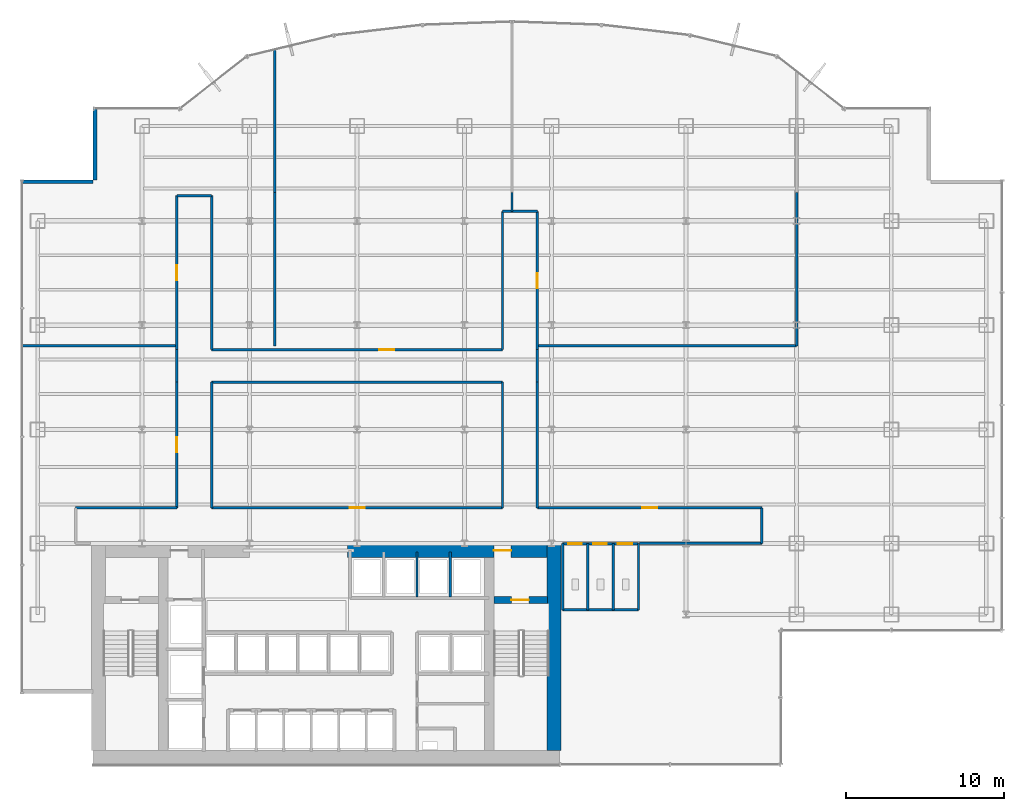
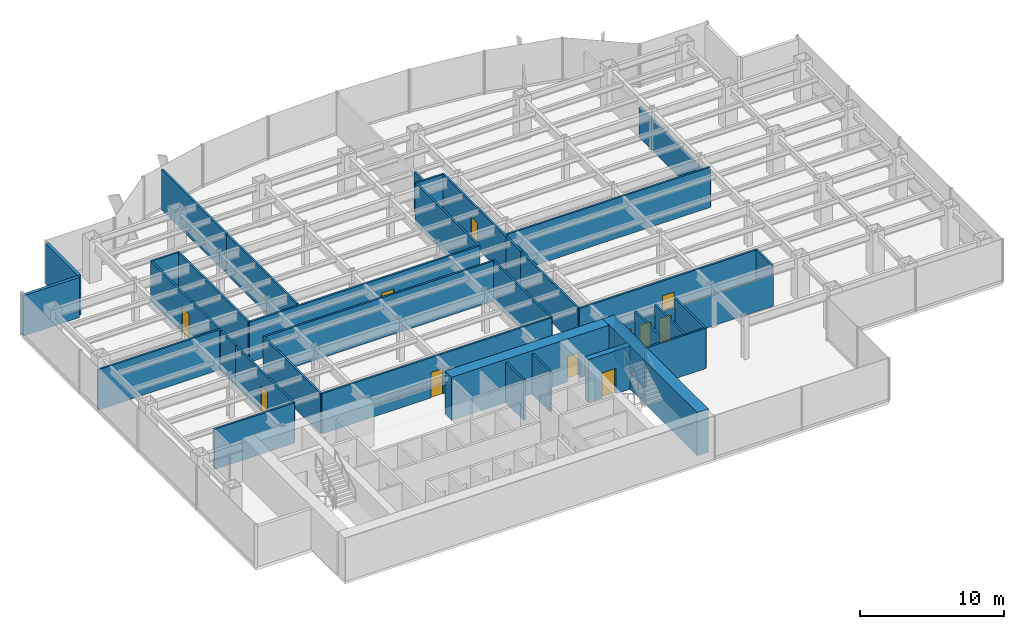
# One storey, part 18 of 22: 38 walls, 11 doors, 11 openings.
"""IFC4 building model written with IfcOpenShell, lengths in metres."""

from ifc_helpers import new_model, si_unit, derived_unit, direction, frame, frame_2d, origin, place, context, subcontext, project, spatial, rectangle, extrude, source, transform, mapped, material, layer, layer_set, type_object, element, fill, save


model = new_model("IFC4")

# Units and contexts
model_context = context("Model", 3, precision=1e-05, world=origin(), true_north=direction((0.0, 1.0)))
body_context = subcontext(model_context, "Body", "Model", "MODEL_VIEW")
ifc_project = project(units=[si_unit("LENGTHUNIT", "METRE"), si_unit("AREAUNIT", "SQUARE_METRE"), si_unit("VOLUMEUNIT", "CUBIC_METRE"), si_unit("PLANEANGLEUNIT", "RADIAN"), si_unit("MASSUNIT", "GRAM", prefix="KILO"), derived_unit("THERMALTRANSMITTANCEUNIT", [(si_unit("POWERUNIT", "WATT"), 1), (si_unit("LENGTHUNIT", "METRE"), -2), (si_unit("THERMODYNAMICTEMPERATUREUNIT", "KELVIN"), -1)])], contexts=[model_context])

# Site, building, storey
site_placement = place(None, origin())
site = spatial("IfcSite", under=ifc_project, at=site_placement, CompositionType="ELEMENT")
building_placement = place(site_placement, origin())
building = spatial("IfcBuilding", under=site, at=building_placement, Name="Skarnbrae Concourse Arena and Tower", CompositionType="ELEMENT")
storey_placement = place(building_placement, frame((0.0, 0.0, 61.699951171875)))
storey = spatial("IfcBuildingStorey", under=building, at=storey_placement, Name="L14", CompositionType="ELEMENT", Elevation=61.699951171875)

# Wall
ifc_material_1 = material(Name="Concrete 70 MPa (C70/85)", Category="concrete")
ifc_layer_1 = layer(ifc_material_1, 0.89990234375)
ifc_layer_set_1 = layer_set([ifc_layer_1], Name="Concrete 70 MPa (C70/85)")
wall_type_1 = type_object("IfcWallType", Name="WALL-CORE-900-C70", PredefinedType="SHEAR", material=ifc_layer_set_1)
shared_shape_1 = source(origin(), body_context, "Body", "SweptSolid", [
    extrude(rectangle(XDim=13.10009765625, YDim=0.89990234375, at=frame_2d((6.550048828125, 0.0))), origin(), (0.0, 0.0, 1.0), 3.650146484375),
])
wall_1_placement = place(storey_placement, frame((33.64990234375, 0.89990234375, 0.0), z_axis=(0.0, 0.0, 1.0), x_axis=(0.0, 1.0, 0.0)))
element("IfcWall", 1, at=wall_1_placement, inside=storey, type_object=wall_type_1, Name="L14 Rear core shear wall CW-E", PredefinedType="SHEAR", context=body_context, shape_type="MappedRepresentation", body=[
    mapped(shared_shape_1, transform((0.0, 0.0, 0.0))),
])

# Wall, opening, door
shared_shape_2 = source(origin(), body_context, "Body", "SweptSolid", [
    extrude(rectangle(XDim=12.599853515625, YDim=0.89990234375, at=frame_2d((6.2998046875, 0.0))), origin(), (0.0, 0.0, 1.0), 3.650146484375),
])
wall_2_placement = place(storey_placement, frame((20.60009765625, 13.550048828125, 0.0), z_axis=(0.0, 0.0, 1.0), x_axis=(1.0, 0.0, 0.0)))
wall_2 = element("IfcWall", 2, at=wall_2_placement, inside=storey, type_object=wall_type_1, Name="L14 Rear core shear wall CW-NE", PredefinedType="SHEAR", context=body_context, shape_type="MappedRepresentation", body=[
    mapped(shared_shape_2, transform((0.0, 0.0, 0.0))),
])
opening_1_placement = place(wall_2_placement, frame((9.25, 0.0, 0.0)))
opening_1 = element("IfcOpeningElement", 3, at=opening_1_placement, cuts=wall_2, Name="Opening DT-03", PredefinedType="OPENING", context=body_context, shape_type="SweptSolid", body=[
    extrude(rectangle(XDim=1.10009765625, YDim=2.14990234375, at=frame_2d((0.550048828125, 1.074951171875))), frame((0.0, 0.4599609375, 0.0), z_axis=(0.0, -1.0, 0.0), x_axis=(1.0, 0.0, 0.0)), (0.0, 0.0, 1.0), 0.919921875),
])
ifc_material_2 = material(Name="Steel CSA G40.21 350W", Category="steel")
door_type_1 = type_object("IfcDoorType", Name="DOOR-FIRE-1100-90M", OperationType="NOTDEFINED", PredefinedType="DOOR", material=ifc_material_2)
shared_shape_3 = source(origin(), body_context, "Body", "SweptSolid", [
    extrude(rectangle(XDim=1.10009765625, YDim=2.14990234375, at=frame_2d((0.550048828125, 1.074951171875))), frame((0.0, 0.02490234375, 0.0), z_axis=(0.0, -1.0, 0.0), x_axis=(1.0, 0.0, 0.0)), (0.0, 0.0, 1.0), 0.050048828125),
])
door_1_placement = place(opening_1_placement, origin())
door_1 = element("IfcDoor", 4, at=door_1_placement, inside=storey, type_object=door_type_1, Name="D-0553 Stair ST-2 Vestibule Door", OperationType="SINGLE_SWING_LEFT", OverallHeight=2.14990234375, OverallWidth=1.10009765625, PredefinedType="DOOR", context=body_context, shape_type="MappedRepresentation", body=[
    mapped(shared_shape_3, transform((0.0, 0.0, 0.0))),
])
fill(opening_1, door_1)

ifc_material_3 = material(Name="Concrete 50 MPa (C50/60)", Category="concrete")
ifc_layer_2 = layer(ifc_material_3, 0.449951171875)
ifc_layer_set_2 = layer_set([ifc_layer_2], Name="Concrete 50 MPa (C50/60)")
wall_type_2 = type_object("IfcWallType", Name="WALL-CORE-450-C50", PredefinedType="SHEAR", material=ifc_layer_set_2)
shared_shape_4 = source(origin(), body_context, "Body", "SweptSolid", [
    extrude(rectangle(XDim=3.389892578125, YDim=0.449951171875, at=frame_2d((1.69482421875, 0.0))), origin(), (0.0, 0.0, 1.0), 3.650146484375),
])
wall_3_placement = place(storey_placement, frame((29.860107421875, 10.419921875, 0.0), z_axis=(0.0, 0.0, 1.0), x_axis=(1.0, 0.0, 0.0)))
wall_3 = element("IfcWall", 5, at=wall_3_placement, inside=storey, type_object=wall_type_2, Name="L14 Rear core shear wall CW-ST2-N", PredefinedType="SHEAR", context=body_context, shape_type="MappedRepresentation", body=[
    mapped(shared_shape_4, transform((0.0, 0.0, 0.0))),
])
opening_2_placement = place(wall_3_placement, frame((1.10009765625, 0.0, 0.0)))
opening_2 = element("IfcOpeningElement", 6, at=opening_2_placement, cuts=wall_3, Name="Opening DT-03", PredefinedType="OPENING", context=body_context, shape_type="SweptSolid", body=[
    extrude(rectangle(XDim=1.10009765625, YDim=2.14990234375, at=frame_2d((0.550048828125, 1.074951171875))), frame((0.0, 0.23486328125, 0.0), z_axis=(0.0, -1.0, 0.0), x_axis=(1.0, 0.0, 0.0)), (0.0, 0.0, 1.0), 0.469970703125),
])
door_2_placement = place(opening_2_placement, frame((1.10009765625, 0.0, 0.0), z_axis=(0.0, 0.0, 1.0), x_axis=(-1.0, 0.0, 0.0)))
door_2 = element("IfcDoor", 7, at=door_2_placement, inside=storey, type_object=door_type_1, Name="D-0551 Stair ST-2 Door", OperationType="SINGLE_SWING_RIGHT", OverallHeight=2.14990234375, OverallWidth=1.10009765625, PredefinedType="DOOR", context=body_context, shape_type="MappedRepresentation", body=[
    mapped(shared_shape_3, transform((0.0, 0.0, 0.0))),
])
fill(opening_2, door_2)

# Walls
ifc_material_4 = material(Name="Precast concrete 40 MPa (C40/50)", Category="concrete")
ifc_layer_3 = layer(ifc_material_4, 0.25)
ifc_layer_set_3 = layer_set([ifc_layer_3], Name="Precast concrete 40 MPa (C40/50)")
wall_type_3 = type_object("IfcWallType", Name="WALL-EXT-SPANDREL-250", PredefinedType="STANDARD", material=ifc_layer_set_3)
shared_shape_5 = source(origin(), body_context, "Body", "SweptSolid", [
    extrude(rectangle(XDim=4.5, YDim=0.25, at=frame_2d((2.25, 0.0))), origin(), (0.0, 0.0, 1.0), 3.400146484375),
])
for number, where, z_axis, x_axis, name in (
    (8, (4.625, 41.5, 0.0), (0.0, 0.0, 1.0), (0.0, -1.0, 0.0), "L14 Notched corner insulated return wall 17"),
    (9, (4.5, 36.875, 0.0), (0.0, 0.0, 1.0), (-1.0, 0.0, 0.0), "L14 Notched corner insulated return wall 18"),
):
    element("IfcWall", number, at=place(storey_placement, frame(where, z_axis=z_axis, x_axis=x_axis)), inside=storey, type_object=wall_type_3, Name=name, PredefinedType="STANDARD", context=body_context, shape_type="MappedRepresentation", body=[
        mapped(shared_shape_5, transform((0.0, 0.0, 0.0))),
    ])

# Wall, openings, doors
ifc_material_5 = material(Name="Gypsum board on cold-formed steel studs", Category="steel")
ifc_layer_4 = layer(ifc_material_5, 0.14990234375)
ifc_layer_set_4 = layer_set([ifc_layer_4], Name="Gypsum board on cold-formed steel studs")
wall_type_4 = type_object("IfcWallType", Name="WALL-PART-150", PredefinedType="PARTITIONING", material=ifc_layer_set_4)
shared_shape_6 = source(origin(), body_context, "Body", "SweptSolid", [
    extrude(rectangle(XDim=4.800048828125, YDim=0.14990234375, at=frame_2d((2.39990234375, 0.0))), origin(), (0.0, 0.0, 1.0), 2.625),
])
wall_4_placement = place(storey_placement, frame((34.199951171875, 13.97998046875, 0.0), z_axis=(0.0, 0.0, 1.0), x_axis=(1.0, 0.0, 0.0)))
wall_4 = element("IfcWall", 10, at=wall_4_placement, inside=storey, type_object=wall_type_4, Name="L14 Interior partition wall W-L14-WC-N", PredefinedType="PARTITIONING", context=body_context, shape_type="MappedRepresentation", body=[
    mapped(shared_shape_6, transform((0.0, 0.0, 0.0))),
])
opening_3_placement = place(wall_4_placement, frame((0.35009765625, 0.0, 0.0)))
opening_3 = element("IfcOpeningElement", 11, at=opening_3_placement, cuts=wall_4, Name="Opening DT-06", PredefinedType="OPENING", context=body_context, shape_type="SweptSolid", body=[
    extrude(rectangle(XDim=0.85009765625, YDim=2.10009765625, at=frame_2d((0.425048828125, 1.050048828125))), frame((0.0, 0.0849609375, 0.0), z_axis=(0.0, -1.0, 0.0), x_axis=(1.0, 0.0, 0.0)), (0.0, 0.0, 1.0), 0.169921875),
])
opening_4_placement = place(wall_4_placement, frame((1.949951171875, 0.0, 0.0)))
opening_4 = element("IfcOpeningElement", 12, at=opening_4_placement, cuts=wall_4, Name="Opening DT-06", PredefinedType="OPENING", context=body_context, shape_type="SweptSolid", body=[
    extrude(rectangle(XDim=0.85009765625, YDim=2.10009765625, at=frame_2d((0.425048828125, 1.050048828125))), frame((0.0, 0.0849609375, 0.0), z_axis=(0.0, -1.0, 0.0), x_axis=(1.0, 0.0, 0.0)), (0.0, 0.0, 1.0), 0.169921875),
])
opening_5_placement = place(wall_4_placement, frame((3.5, 0.0, 0.0)))
opening_5 = element("IfcOpeningElement", 13, at=opening_5_placement, cuts=wall_4, Name="Opening DT-05", PredefinedType="OPENING", context=body_context, shape_type="SweptSolid", body=[
    extrude(rectangle(XDim=0.89990234375, YDim=2.10009765625, at=frame_2d((0.449951171875, 1.050048828125))), frame((0.0, 0.0849609375, 0.0), z_axis=(0.0, -1.0, 0.0), x_axis=(1.0, 0.0, 0.0)), (0.0, 0.0, 1.0), 0.169921875),
])
ifc_material_6 = material(Name="Architectural oak veneer timber leaf", Category="wood")
door_type_2 = type_object("IfcDoorType", Name="DOOR-INT-850", OperationType="NOTDEFINED", PredefinedType="DOOR", material=ifc_material_6)
shared_shape_7 = source(origin(), body_context, "Body", "SweptSolid", [
    extrude(rectangle(XDim=0.85009765625, YDim=2.10009765625, at=frame_2d((0.425048828125, 1.050048828125))), frame((0.0, 0.02490234375, 0.0), z_axis=(0.0, -1.0, 0.0), x_axis=(1.0, 0.0, 0.0)), (0.0, 0.0, 1.0), 0.050048828125),
])
door_3_placement = place(opening_3_placement, frame((0.85009765625, 0.0, 0.0), z_axis=(0.0, 0.0, 1.0), x_axis=(-1.0, 0.0, 0.0)))
door_3 = element("IfcDoor", 14, at=door_3_placement, inside=storey, type_object=door_type_2, Name="D-0565 Male Washroom Door", OperationType="SINGLE_SWING_LEFT", OverallHeight=2.10009765625, OverallWidth=0.85009765625, PredefinedType="DOOR", context=body_context, shape_type="MappedRepresentation", body=[
    mapped(shared_shape_7, transform((0.0, 0.0, 0.0))),
])
fill(opening_3, door_3)
door_4_placement = place(opening_4_placement, frame((0.85009765625, 0.0, 0.0), z_axis=(0.0, 0.0, 1.0), x_axis=(-1.0, 0.0, 0.0)))
door_4 = element("IfcDoor", 15, at=door_4_placement, inside=storey, type_object=door_type_2, Name="D-0566 Female Washroom Door", OperationType="SINGLE_SWING_RIGHT", OverallHeight=2.10009765625, OverallWidth=0.85009765625, PredefinedType="DOOR", context=body_context, shape_type="MappedRepresentation", body=[
    mapped(shared_shape_7, transform((0.0, 0.0, 0.0))),
])
fill(opening_4, door_4)
door_type_3 = type_object("IfcDoorType", Name="DOOR-INT-900", OperationType="NOTDEFINED", PredefinedType="DOOR", material=ifc_material_6)
shared_shape_8 = source(origin(), body_context, "Body", "SweptSolid", [
    extrude(rectangle(XDim=0.89990234375, YDim=2.10009765625, at=frame_2d((0.449951171875, 1.050048828125))), frame((0.0, 0.02490234375, 0.0), z_axis=(0.0, -1.0, 0.0), x_axis=(1.0, 0.0, 0.0)), (0.0, 0.0, 1.0), 0.050048828125),
])
door_5_placement = place(opening_5_placement, frame((0.89990234375, 0.0, 0.0), z_axis=(0.0, 0.0, 1.0), x_axis=(-1.0, 0.0, 0.0)))
door_5 = element("IfcDoor", 16, at=door_5_placement, inside=storey, type_object=door_type_3, Name="D-0567 Accessible WC Door", OperationType="SINGLE_SWING_LEFT", OverallHeight=2.10009765625, OverallWidth=0.89990234375, PredefinedType="DOOR", context=body_context, shape_type="MappedRepresentation", body=[
    mapped(shared_shape_8, transform((0.0, 0.0, 0.0))),
])
fill(opening_5, door_5)

# Walls
ifc_layer_5 = layer(ifc_material_5, 0.14990234375)
ifc_layer_set_5 = layer_set([ifc_layer_5], Name="Gypsum board on cold-formed steel studs")
wall_type_5 = type_object("IfcWallType", Name="WALL-PART-150-1HR", PredefinedType="PARTITIONING", material=ifc_layer_set_5)
shared_shape_9 = source(origin(), body_context, "Body", "SweptSolid", [
    extrude(rectangle(XDim=7.75, YDim=0.14990234375, at=frame_2d((3.875, 0.0))), origin(), (0.0, 0.0, 1.0), 2.625),
])
wall_5_placement = place(storey_placement, frame((46.800048828125, 14.0, 0.0), z_axis=(0.0, 0.0, 1.0), x_axis=(-1.0, 0.0, 0.0)))
element("IfcWall", 17, at=wall_5_placement, inside=storey, type_object=wall_type_5, Name="L14 Interior partition wall W-L14-COR-17", PredefinedType="PARTITIONING", context=body_context, shape_type="MappedRepresentation", body=[
    mapped(shared_shape_9, transform((0.0, 0.0, 0.0))),
])
shared_shape_10 = source(origin(), body_context, "Body", "SweptSolid", [
    extrude(rectangle(XDim=2.849853515625, YDim=0.14990234375, at=frame_2d((1.4248046875, 0.0))), origin(), (0.0, 0.0, 1.0), 3.400146484375),
])
for number, where, z_axis, x_axis, name in (
    (18, (24.989990234375, 10.60009765625, 0.0), (0.0, 0.0, 1.0), (0.0, 1.0, 0.0), "L14 Interior partition wall W-L14-B3N-P2"),
    (19, (27.090087890625, 10.60009765625, 0.0), (0.0, 0.0, 1.0), (0.0, 1.0, 0.0), "L14 Interior partition wall W-L14-B3N-P3"),
):
    element("IfcWall", number, at=place(storey_placement, frame(where, z_axis=z_axis, x_axis=x_axis)), inside=storey, type_object=wall_type_4, Name=name, PredefinedType="PARTITIONING", context=body_context, shape_type="MappedRepresentation", body=[
        mapped(shared_shape_10, transform((0.0, 0.0, 0.0))),
    ])
shared_shape_11 = source(origin(), body_context, "Body", "SweptSolid", [
    extrude(rectangle(XDim=4.800048828125, YDim=0.14990234375, at=frame_2d((2.39990234375, 0.0))), origin(), (0.0, 0.0, 1.0), 3.400146484375),
])
wall_6_placement = place(storey_placement, frame((34.199951171875, 9.800048828125, 0.0), z_axis=(0.0, 0.0, 1.0), x_axis=(1.0, 0.0, 0.0)))
element("IfcWall", 20, at=wall_6_placement, inside=storey, type_object=wall_type_4, Name="L14 Interior partition wall W-L14-WC-S", PredefinedType="PARTITIONING", context=body_context, shape_type="MappedRepresentation", body=[
    mapped(shared_shape_11, transform((0.0, 0.0, 0.0))),
])
shared_shape_12 = source(origin(), body_context, "Body", "SweptSolid", [
    extrude(rectangle(XDim=4.179931640625, YDim=0.14990234375, at=frame_2d((2.08984375, 0.0))), origin(), (0.0, 0.0, 1.0), 3.400146484375),
])
for number, where, z_axis, x_axis, name in (
    (21, (39.0, 9.800048828125, 0.0), (0.0, 0.0, 1.0), (0.0, 1.0, 0.0), "L14 Interior partition wall W-L14-WC-E"),
    (22, (34.199951171875, 9.800048828125, 0.0), (0.0, 0.0, 1.0), (0.0, 1.0, 0.0), "L14 Interior partition wall W-L14-WC-W"),
    (23, (35.800048828125, 9.800048828125, 0.0), (0.0, 0.0, 1.0), (0.0, 1.0, 0.0), "L14 Interior partition wall W-L14-WC-D1"),
    (24, (37.39990234375, 9.800048828125, 0.0), (0.0, 0.0, 1.0), (0.0, 1.0, 0.0), "L14 Interior partition wall W-L14-WC-D2"),
):
    element("IfcWall", number, at=place(storey_placement, frame(where, z_axis=z_axis, x_axis=x_axis)), inside=storey, type_object=wall_type_4, Name=name, PredefinedType="PARTITIONING", context=body_context, shape_type="MappedRepresentation", body=[
        mapped(shared_shape_12, transform((0.0, 0.0, 0.0))),
    ])
shared_shape_13 = source(origin(), body_context, "Body", "SweptSolid", [
    extrude(rectangle(XDim=2.25, YDim=0.14990234375, at=frame_2d((1.125, 0.0))), origin(), (0.0, 0.0, 1.0), 3.400146484375),
])
wall_7_placement = place(storey_placement, frame((46.800048828125, 16.25, 0.0), z_axis=(0.0, 0.0, 1.0), x_axis=(0.0, -1.0, 0.0)))
element("IfcWall", 25, at=wall_7_placement, inside=storey, type_object=wall_type_5, Name="L14 Interior partition wall W-L14-COR-16", PredefinedType="PARTITIONING", context=body_context, shape_type="MappedRepresentation", body=[
    mapped(shared_shape_13, transform((0.0, 0.0, 0.0))),
])
shared_shape_14 = source(origin(), body_context, "Body", "SweptSolid", [
    extrude(rectangle(XDim=6.400146484375, YDim=0.14990234375, at=frame_2d((3.2001953125, 0.0))), origin(), (0.0, 0.0, 1.0), 3.400146484375),
])
wall_8_placement = place(storey_placement, frame((3.39990234375, 16.25, 0.0), z_axis=(0.0, 0.0, 1.0), x_axis=(1.0, 0.0, 0.0)))
element("IfcWall", 26, at=wall_8_placement, inside=storey, type_object=wall_type_5, Name="L14 Interior partition wall W-L14-COR-03", PredefinedType="PARTITIONING", context=body_context, shape_type="MappedRepresentation", body=[
    mapped(shared_shape_14, transform((0.0, 0.0, 0.0))),
])
shared_shape_15 = source(origin(), body_context, "Body", "SweptSolid", [
    extrude(rectangle(XDim=2.050048828125, YDim=0.14990234375, at=frame_2d((1.02490234375, 0.0))), origin(), (0.0, 0.0, 1.0), 3.400146484375),
])
for number, where, z_axis, x_axis, name in (
    (27, (9.800048828125, 24.199951171875, 0.0), (0.0, 0.0, 1.0), (0.0, 1.0, 0.0), "L14 Interior partition wall W-L14-COR-05"),
    (28, (32.60009765625, 26.25, 0.0), (0.0, 0.0, 1.0), (0.0, -1.0, 0.0), "L14 Interior partition wall W-L14-COR-13"),
):
    element("IfcWall", number, at=place(storey_placement, frame(where, z_axis=z_axis, x_axis=x_axis)), inside=storey, type_object=wall_type_5, Name=name, PredefinedType="PARTITIONING", context=body_context, shape_type="MappedRepresentation", body=[
        mapped(shared_shape_15, transform((0.0, 0.0, 0.0))),
    ])
shared_shape_16 = source(origin(), body_context, "Body", "SweptSolid", [
    extrude(rectangle(XDim=2.199951171875, YDim=0.14990234375, at=frame_2d((1.10009765625, 0.0))), origin(), (0.0, 0.0, 1.0), 3.400146484375),
])
wall_9_placement = place(storey_placement, frame((9.800048828125, 36.0, 0.0), z_axis=(0.0, 0.0, 1.0), x_axis=(1.0, 0.0, 0.0)))
element("IfcWall", 29, at=wall_9_placement, inside=storey, type_object=wall_type_5, Name="L14 Interior partition wall W-L14-COR-07", PredefinedType="PARTITIONING", context=body_context, shape_type="MappedRepresentation", body=[
    mapped(shared_shape_16, transform((0.0, 0.0, 0.0))),
])
shared_shape_17 = source(origin(), body_context, "Body", "SweptSolid", [
    extrude(rectangle(XDim=9.780029296875, YDim=0.14990234375, at=frame_2d((4.89013671875, 0.0))), origin(), (0.0, 0.0, 1.0), 3.400146484375),
])
wall_10_placement = place(storey_placement, frame((0.02001953125, 26.5, 0.0), z_axis=(0.0, 0.0, 1.0), x_axis=(1.0, 0.0, 0.0)))
element("IfcWall", 30, at=wall_10_placement, inside=storey, type_object=wall_type_4, Name="L14 Interior partition wall W-L14-DEM-22", PredefinedType="PARTITIONING", context=body_context, shape_type="MappedRepresentation", body=[
    mapped(shared_shape_17, transform((0.0, 0.0, 0.0))),
])

# Wall, opening, door
shared_shape_18 = source(origin(), body_context, "Body", "SweptSolid", [
    extrude(rectangle(XDim=7.949951171875, YDim=0.14990234375, at=frame_2d((3.97509765625, 0.0))), origin(), (0.0, 0.0, 1.0), 3.400146484375),
])
wall_11_placement = place(storey_placement, frame((9.800048828125, 16.25, 0.0), z_axis=(0.0, 0.0, 1.0), x_axis=(0.0, 1.0, 0.0)))
wall_11 = element("IfcWall", 31, at=wall_11_placement, inside=storey, type_object=wall_type_5, Name="L14 Interior partition wall W-L14-COR-04", PredefinedType="PARTITIONING", context=body_context, shape_type="MappedRepresentation", body=[
    mapped(shared_shape_18, transform((0.0, 0.0, 0.0))),
])
opening_6_placement = place(wall_11_placement, frame((3.5, 0.0, 0.0)))
opening_6 = element("IfcOpeningElement", 32, at=opening_6_placement, cuts=wall_11, Name="Opening DT-04", PredefinedType="OPENING", context=body_context, shape_type="SweptSolid", body=[
    extrude(rectangle(XDim=0.949951171875, YDim=2.14990234375, at=frame_2d((0.47509765625, 1.074951171875))), frame((0.0, 0.0849609375, 0.0), z_axis=(0.0, -1.0, 0.0), x_axis=(1.0, 0.0, 0.0)), (0.0, 0.0, 1.0), 0.169921875),
])
door_type_4 = type_object("IfcDoorType", Name="DOOR-INT-950-45M", OperationType="NOTDEFINED", PredefinedType="DOOR", material=ifc_material_2)
shared_shape_19 = source(origin(), body_context, "Body", "SweptSolid", [
    extrude(rectangle(XDim=0.949951171875, YDim=2.14990234375, at=frame_2d((0.47509765625, 1.074951171875))), frame((0.0, 0.02490234375, 0.0), z_axis=(0.0, -1.0, 0.0), x_axis=(1.0, 0.0, 0.0)), (0.0, 0.0, 1.0), 0.050048828125),
])
door_6_placement = place(opening_6_placement, origin())
door_6 = element("IfcDoor", 33, at=door_6_placement, inside=storey, type_object=door_type_4, Name="D-0568 L14 Suite Door 01", OperationType="SINGLE_SWING_LEFT", OverallHeight=2.14990234375, OverallWidth=0.949951171875, PredefinedType="DOOR", context=body_context, shape_type="MappedRepresentation", body=[
    mapped(shared_shape_19, transform((0.0, 0.0, 0.0))),
])
fill(opening_6, door_6)

# Walls
for number, where, z_axis, x_axis, name in (
    (34, (32.60009765625, 24.199951171875, 0.0), (0.0, 0.0, 1.0), (0.0, -1.0, 0.0), "L14 Interior partition wall W-L14-COR-14"),
    (35, (30.39990234375, 16.25, 0.0), (0.0, 0.0, 1.0), (0.0, 1.0, 0.0), "L14 Interior partition wall W-L14-COR-19"),
    (36, (12.0, 24.199951171875, 0.0), (0.0, 0.0, 1.0), (0.0, -1.0, 0.0), "L14 Interior partition wall W-L14-COR-21"),
):
    element("IfcWall", number, at=place(storey_placement, frame(where, z_axis=z_axis, x_axis=x_axis)), inside=storey, type_object=wall_type_5, Name=name, PredefinedType="PARTITIONING", context=body_context, shape_type="MappedRepresentation", body=[
        mapped(shared_shape_18, transform((0.0, 0.0, 0.0))),
    ])

# Wall, opening, door
shared_shape_20 = source(origin(), body_context, "Body", "SweptSolid", [
    extrude(rectangle(XDim=9.75, YDim=0.14990234375, at=frame_2d((4.875, 0.0))), origin(), (0.0, 0.0, 1.0), 3.400146484375),
])
wall_12_placement = place(storey_placement, frame((9.800048828125, 26.25, 0.0), z_axis=(0.0, 0.0, 1.0), x_axis=(0.0, 1.0, 0.0)))
wall_12 = element("IfcWall", 37, at=wall_12_placement, inside=storey, type_object=wall_type_5, Name="L14 Interior partition wall W-L14-COR-06", PredefinedType="PARTITIONING", context=body_context, shape_type="MappedRepresentation", body=[
    mapped(shared_shape_20, transform((0.0, 0.0, 0.0))),
])
opening_7_placement = place(wall_12_placement, frame((4.39990234375, 0.0, 0.0)))
opening_7 = element("IfcOpeningElement", 38, at=opening_7_placement, cuts=wall_12, Name="Opening DT-04", PredefinedType="OPENING", context=body_context, shape_type="SweptSolid", body=[
    extrude(rectangle(XDim=0.949951171875, YDim=2.14990234375, at=frame_2d((0.47509765625, 1.074951171875))), frame((0.0, 0.0849609375, 0.0), z_axis=(0.0, -1.0, 0.0), x_axis=(1.0, 0.0, 0.0)), (0.0, 0.0, 1.0), 0.169921875),
])
door_7_placement = place(opening_7_placement, origin())
door_7 = element("IfcDoor", 39, at=door_7_placement, inside=storey, type_object=door_type_4, Name="D-0569 L14 Suite Door 02", OperationType="SINGLE_SWING_RIGHT", OverallHeight=2.14990234375, OverallWidth=0.949951171875, PredefinedType="DOOR", context=body_context, shape_type="MappedRepresentation", body=[
    mapped(shared_shape_19, transform((0.0, 0.0, 0.0))),
])
fill(opening_7, door_7)

# Wall
wall_13_placement = place(storey_placement, frame((12.0, 36.0, 0.0), z_axis=(0.0, 0.0, 1.0), x_axis=(0.0, -1.0, 0.0)))
element("IfcWall", 40, at=wall_13_placement, inside=storey, type_object=wall_type_5, Name="L14 Interior partition wall W-L14-COR-08", PredefinedType="PARTITIONING", context=body_context, shape_type="MappedRepresentation", body=[
    mapped(shared_shape_20, transform((0.0, 0.0, 0.0))),
])

# Wall, opening, door
shared_shape_21 = source(origin(), body_context, "Body", "SweptSolid", [
    extrude(rectangle(XDim=18.39990234375, YDim=0.14990234375, at=frame_2d((9.199951171875, 0.0))), origin(), (0.0, 0.0, 1.0), 3.400146484375),
])
wall_14_placement = place(storey_placement, frame((12.0, 26.25, 0.0), z_axis=(0.0, 0.0, 1.0), x_axis=(1.0, 0.0, 0.0)))
wall_14 = element("IfcWall", 41, at=wall_14_placement, inside=storey, type_object=wall_type_5, Name="L14 Interior partition wall W-L14-COR-09", PredefinedType="PARTITIONING", context=body_context, shape_type="MappedRepresentation", body=[
    mapped(shared_shape_21, transform((0.0, 0.0, 0.0))),
])
opening_8_placement = place(wall_14_placement, frame((10.594970703125, 0.0, 0.0)))
opening_8 = element("IfcOpeningElement", 42, at=opening_8_placement, cuts=wall_14, Name="Opening DT-04", PredefinedType="OPENING", context=body_context, shape_type="SweptSolid", body=[
    extrude(rectangle(XDim=0.949951171875, YDim=2.14990234375, at=frame_2d((0.47509765625, 1.074951171875))), frame((0.0, 0.0849609375, 0.0), z_axis=(0.0, -1.0, 0.0), x_axis=(1.0, 0.0, 0.0)), (0.0, 0.0, 1.0), 0.169921875),
])
door_8_placement = place(opening_8_placement, origin())
door_8 = element("IfcDoor", 43, at=door_8_placement, inside=storey, type_object=door_type_4, Name="D-0571 L14 Suite Door 04", OperationType="SINGLE_SWING_RIGHT", OverallHeight=2.14990234375, OverallWidth=0.949951171875, PredefinedType="DOOR", context=body_context, shape_type="MappedRepresentation", body=[
    mapped(shared_shape_19, transform((0.0, 0.0, 0.0))),
])
fill(opening_8, door_8)

wall_15_placement = place(storey_placement, frame((12.0, 16.25, 0.0), z_axis=(0.0, 0.0, 1.0), x_axis=(1.0, 0.0, 0.0)))
wall_15 = element("IfcWall", 44, at=wall_15_placement, inside=storey, type_object=wall_type_5, Name="L14 Interior partition wall W-L14-COR-18", PredefinedType="PARTITIONING", context=body_context, shape_type="MappedRepresentation", body=[
    mapped(shared_shape_21, transform((0.0, 0.0, 0.0))),
])
opening_9_placement = place(wall_15_placement, frame((8.72509765625, 0.0, 0.0)))
opening_9 = element("IfcOpeningElement", 45, at=opening_9_placement, cuts=wall_15, Name="Opening DT-04", PredefinedType="OPENING", context=body_context, shape_type="SweptSolid", body=[
    extrude(rectangle(XDim=0.949951171875, YDim=2.14990234375, at=frame_2d((0.47509765625, 1.074951171875))), frame((0.0, 0.0849609375, 0.0), z_axis=(0.0, -1.0, 0.0), x_axis=(1.0, 0.0, 0.0)), (0.0, 0.0, 1.0), 0.169921875),
])
door_9_placement = place(opening_9_placement, origin())
door_9 = element("IfcDoor", 46, at=door_9_placement, inside=storey, type_object=door_type_4, Name="D-0570 L14 Suite Door 03", OperationType="SINGLE_SWING_LEFT", OverallHeight=2.14990234375, OverallWidth=0.949951171875, PredefinedType="DOOR", context=body_context, shape_type="MappedRepresentation", body=[
    mapped(shared_shape_19, transform((0.0, 0.0, 0.0))),
])
fill(opening_9, door_9)

# Walls
wall_16_placement = place(storey_placement, frame((30.39990234375, 24.199951171875, 0.0), z_axis=(0.0, 0.0, 1.0), x_axis=(-1.0, 0.0, 0.0)))
element("IfcWall", 47, at=wall_16_placement, inside=storey, type_object=wall_type_5, Name="L14 Interior partition wall W-L14-COR-20", PredefinedType="PARTITIONING", context=body_context, shape_type="MappedRepresentation", body=[
    mapped(shared_shape_21, transform((0.0, 0.0, 0.0))),
])
shared_shape_22 = source(origin(), body_context, "Body", "SweptSolid", [
    extrude(rectangle(XDim=8.75, YDim=0.14990234375, at=frame_2d((4.375, 0.0))), origin(), (0.0, 0.0, 1.0), 3.400146484375),
])
wall_17_placement = place(storey_placement, frame((30.39990234375, 26.25, 0.0), z_axis=(0.0, 0.0, 1.0), x_axis=(0.0, 1.0, 0.0)))
element("IfcWall", 48, at=wall_17_placement, inside=storey, type_object=wall_type_5, Name="L14 Interior partition wall W-L14-COR-10", PredefinedType="PARTITIONING", context=body_context, shape_type="MappedRepresentation", body=[
    mapped(shared_shape_22, transform((0.0, 0.0, 0.0))),
])

# Wall, opening, door
wall_18_placement = place(storey_placement, frame((32.60009765625, 35.0, 0.0), z_axis=(0.0, 0.0, 1.0), x_axis=(0.0, -1.0, 0.0)))
wall_18 = element("IfcWall", 49, at=wall_18_placement, inside=storey, type_object=wall_type_5, Name="L14 Interior partition wall W-L14-COR-12", PredefinedType="PARTITIONING", context=body_context, shape_type="MappedRepresentation", body=[
    mapped(shared_shape_22, transform((0.0, 0.0, 0.0))),
])
opening_10_placement = place(wall_18_placement, frame((3.89990234375, 0.0, 0.0)))
opening_10 = element("IfcOpeningElement", 50, at=opening_10_placement, cuts=wall_18, Name="Opening DT-04", PredefinedType="OPENING", context=body_context, shape_type="SweptSolid", body=[
    extrude(rectangle(XDim=0.949951171875, YDim=2.14990234375, at=frame_2d((0.47509765625, 1.074951171875))), frame((0.0, 0.0849609375, 0.0), z_axis=(0.0, -1.0, 0.0), x_axis=(1.0, 0.0, 0.0)), (0.0, 0.0, 1.0), 0.169921875),
])
door_10_placement = place(opening_10_placement, origin())
door_10 = element("IfcDoor", 51, at=door_10_placement, inside=storey, type_object=door_type_4, Name="D-0572 L14 Suite Door 05", OperationType="SINGLE_SWING_LEFT", OverallHeight=2.14990234375, OverallWidth=0.949951171875, PredefinedType="DOOR", context=body_context, shape_type="MappedRepresentation", body=[
    mapped(shared_shape_19, transform((0.0, 0.0, 0.0))),
])
fill(opening_10, door_10)

# Wall
shared_shape_23 = source(origin(), body_context, "Body", "SweptSolid", [
    extrude(rectangle(XDim=2.2001953125, YDim=0.14990234375, at=frame_2d((1.10009765625, 0.0))), origin(), (0.0, 0.0, 1.0), 3.400146484375),
])
wall_19_placement = place(storey_placement, frame((30.39990234375, 35.0, 0.0), z_axis=(0.0, 0.0, 1.0), x_axis=(1.0, 0.0, 0.0)))
element("IfcWall", 52, at=wall_19_placement, inside=storey, type_object=wall_type_5, Name="L14 Interior partition wall W-L14-COR-11", PredefinedType="PARTITIONING", context=body_context, shape_type="MappedRepresentation", body=[
    mapped(shared_shape_23, transform((0.0, 0.0, 0.0))),
])

# Wall, opening, door
shared_shape_24 = source(origin(), body_context, "Body", "SweptSolid", [
    extrude(rectangle(XDim=14.199951171875, YDim=0.14990234375, at=frame_2d((7.10009765625, 0.0))), origin(), (0.0, 0.0, 1.0), 3.400146484375),
])
wall_20_placement = place(storey_placement, frame((32.60009765625, 16.25, 0.0), z_axis=(0.0, 0.0, 1.0), x_axis=(1.0, 0.0, 0.0)))
wall_20 = element("IfcWall", 53, at=wall_20_placement, inside=storey, type_object=wall_type_5, Name="L14 Interior partition wall W-L14-COR-15", PredefinedType="PARTITIONING", context=body_context, shape_type="MappedRepresentation", body=[
    mapped(shared_shape_24, transform((0.0, 0.0, 0.0))),
])
opening_11_placement = place(wall_20_placement, frame((6.625, 0.0, 0.0)))
opening_11 = element("IfcOpeningElement", 54, at=opening_11_placement, cuts=wall_20, Name="Opening DT-04", PredefinedType="OPENING", context=body_context, shape_type="SweptSolid", body=[
    extrude(rectangle(XDim=0.949951171875, YDim=2.14990234375, at=frame_2d((0.47509765625, 1.074951171875))), frame((0.0, 0.0849609375, 0.0), z_axis=(0.0, -1.0, 0.0), x_axis=(1.0, 0.0, 0.0)), (0.0, 0.0, 1.0), 0.169921875),
])
door_11_placement = place(opening_11_placement, origin())
door_11 = element("IfcDoor", 55, at=door_11_placement, inside=storey, type_object=door_type_4, Name="D-0573 L14 Suite Door 06", OperationType="SINGLE_SWING_RIGHT", OverallHeight=2.14990234375, OverallWidth=0.949951171875, PredefinedType="DOOR", context=body_context, shape_type="MappedRepresentation", body=[
    mapped(shared_shape_19, transform((0.0, 0.0, 0.0))),
])
fill(opening_11, door_11)

# Walls
shared_shape_25 = source(origin(), body_context, "Body", "SweptSolid", [
    extrude(rectangle(XDim=9.018310546875, YDim=0.14990234375, at=frame_2d((4.50927734375, 0.0))), origin(), (0.0, 0.0, 1.0), 3.400146484375),
])
wall_21_placement = place(storey_placement, frame((16.0, 45.21826171875, 0.0), z_axis=(0.0, 0.0, 1.0), x_axis=(0.0, -1.0, 0.0)))
element("IfcWall", 56, at=wall_21_placement, inside=storey, type_object=wall_type_4, Name="L14 Interior partition wall W-L14-DEM-23", PredefinedType="PARTITIONING", context=body_context, shape_type="MappedRepresentation", body=[
    mapped(shared_shape_25, transform((0.0, 0.0, 0.0))),
])
shared_shape_26 = source(origin(), body_context, "Body", "SweptSolid", [
    extrude(rectangle(XDim=9.699951171875, YDim=0.14990234375, at=frame_2d((4.85009765625, 0.0))), origin(), (0.0, 0.0, 1.0), 3.400146484375),
])
wall_22_placement = place(storey_placement, frame((16.0, 36.199951171875, 0.0), z_axis=(0.0, 0.0, 1.0), x_axis=(0.0, -1.0, 0.0)))
element("IfcWall", 57, at=wall_22_placement, inside=storey, type_object=wall_type_4, Name="L14 Interior partition wall W-L14-DEM-24", PredefinedType="PARTITIONING", context=body_context, shape_type="MappedRepresentation", body=[
    mapped(shared_shape_26, transform((0.0, 0.0, 0.0))),
])
shared_shape_27 = source(origin(), body_context, "Body", "SweptSolid", [
    extrude(rectangle(XDim=1.199951171875, YDim=0.14990234375, at=frame_2d((0.60009765625, 0.0))), origin(), (0.0, 0.0, 1.0), 3.400146484375),
])
wall_23_placement = place(storey_placement, frame((31.0, 36.199951171875, 0.0), z_axis=(0.0, 0.0, 1.0), x_axis=(0.0, -1.0, 0.0)))
element("IfcWall", 58, at=wall_23_placement, inside=storey, type_object=wall_type_4, Name="L14 Interior partition wall W-L14-DEM-26", PredefinedType="PARTITIONING", context=body_context, shape_type="MappedRepresentation", body=[
    mapped(shared_shape_27, transform((0.0, 0.0, 0.0))),
])
shared_shape_28 = source(origin(), body_context, "Body", "SweptSolid", [
    extrude(rectangle(XDim=9.699951171875, YDim=0.14990234375, at=frame_2d((4.85009765625, 0.0))), origin(), (0.0, 0.0, 1.0), 2.625),
])
wall_24_placement = place(storey_placement, frame((49.0, 36.199951171875, 0.0), z_axis=(0.0, 0.0, 1.0), x_axis=(0.0, -1.0, 0.0)))
element("IfcWall", 59, at=wall_24_placement, inside=storey, type_object=wall_type_4, Name="L14 Interior partition wall W-L14-DEM-28", PredefinedType="PARTITIONING", context=body_context, shape_type="MappedRepresentation", body=[
    mapped(shared_shape_28, transform((0.0, 0.0, 0.0))),
])
shared_shape_29 = source(origin(), body_context, "Body", "SweptSolid", [
    extrude(rectangle(XDim=16.39990234375, YDim=0.14990234375, at=frame_2d((8.199951171875, 0.0))), origin(), (0.0, 0.0, 1.0), 3.400146484375),
])
wall_25_placement = place(storey_placement, frame((49.0, 26.5, 0.0), z_axis=(0.0, 0.0, 1.0), x_axis=(-1.0, 0.0, 0.0)))
element("IfcWall", 60, at=wall_25_placement, inside=storey, type_object=wall_type_4, Name="L14 Interior partition wall W-L14-DEM-29", PredefinedType="PARTITIONING", context=body_context, shape_type="MappedRepresentation", body=[
    mapped(shared_shape_29, transform((0.0, 0.0, 0.0))),
])

save(model, "model.ifc")
